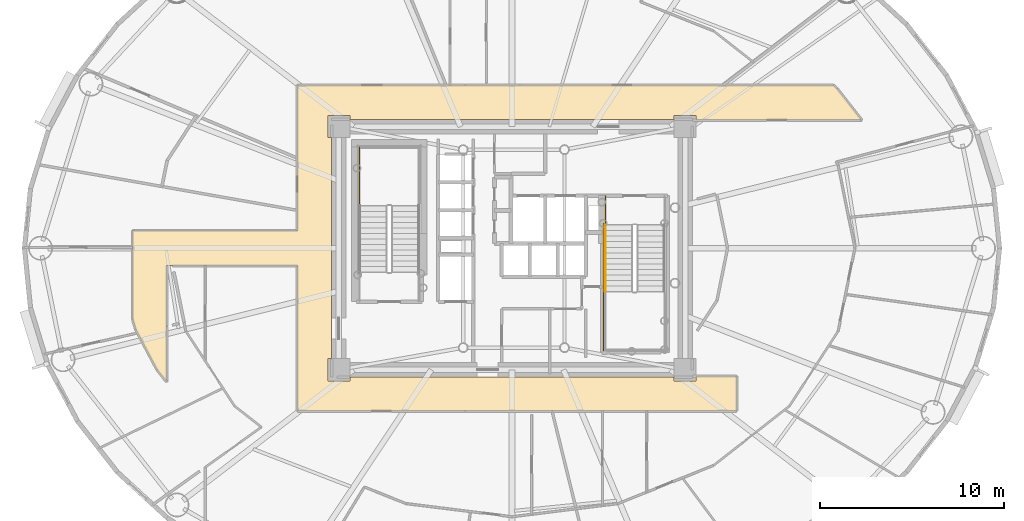
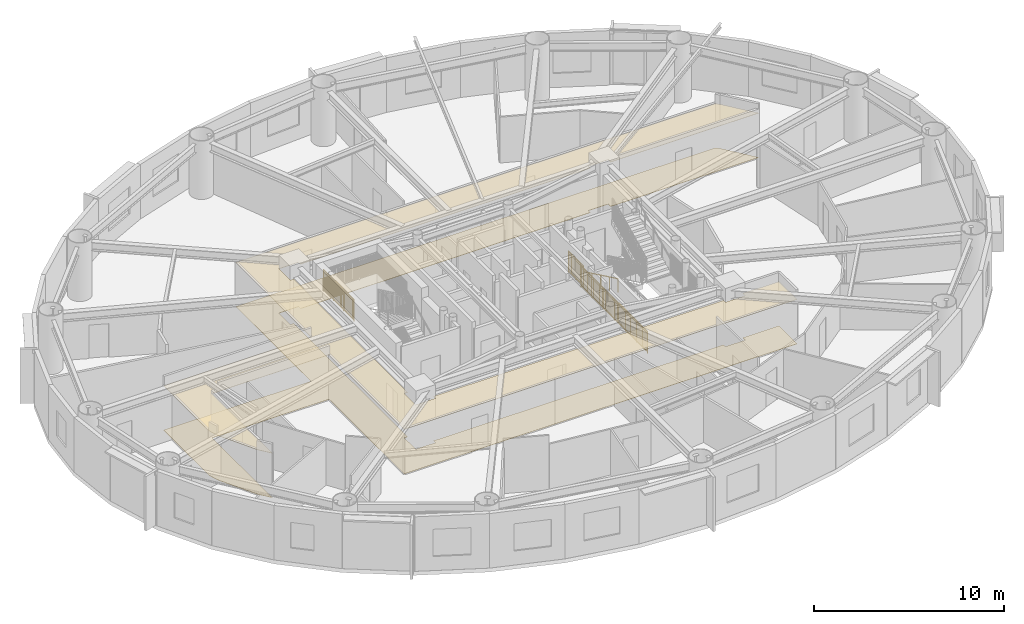
# One storey, part 14 of 18: 4 railings, 2 coverings.
"""IFC4 building model written with IfcOpenShell, lengths in metres."""

from ifc_helpers import new_model, si_unit, direction, frame, origin, origin_2d, place, context, subcontext, project, spatial, polyline, rectangle, outline, extrude, source, transform, mapped, material, layer, layer_set, type_object, element, save


model = new_model("IFC4")

# Units and contexts
model_context = context("Model", 3, precision=1e-05, world=origin(), true_north=direction((0.0, 1.0)))
body_context = subcontext(model_context, "Body", "Model", "MODEL_VIEW")
ifc_project = project(units=[si_unit("LENGTHUNIT", "METRE"), si_unit("AREAUNIT", "SQUARE_METRE"), si_unit("VOLUMEUNIT", "CUBIC_METRE"), si_unit("PLANEANGLEUNIT", "RADIAN"), si_unit("MASSUNIT", "GRAM", prefix="KILO")], contexts=[model_context])

# Site, building, storey
site_placement = place(None, origin())
site = spatial("IfcSite", under=ifc_project, at=site_placement, CompositionType="ELEMENT")
building_placement = place(site_placement, origin())
building = spatial("IfcBuilding", under=site, at=building_placement, Name="Linh Dai School and Residence Tower", CompositionType="ELEMENT")
storey_placement = place(building_placement, frame((0.0, 0.0, 186.14990234375)))
storey = spatial("IfcBuildingStorey", under=building, at=storey_placement, Name="L45", CompositionType="ELEMENT", Elevation=186.14990234375)

# Coverings
ifc_material_1 = material(Name="Mineral Fibre Acoustic Suspended Ceiling", Category="masonry")
ifc_layer_1 = layer(ifc_material_1, 0.02001953125)
ifc_layer_set_1 = layer_set([ifc_layer_1], Name="Mineral Fibre Acoustic Suspended Ceiling")
covering_type_1 = type_object("IfcCoveringType", Name="COV-CEIL-AC-20", PredefinedType="CEILING", material=ifc_layer_set_1)
covering_1_placement = place(storey_placement, frame((0.0, 0.0, 2.85009765625)))
element("IfcCovering", 1, at=covering_1_placement, inside=storey, type_object=covering_type_1, Name="L45 Residential Floor Corridor Suspended Ceiling", PredefinedType="CEILING", context=body_context, shape_type="SweptSolid", body=[
    extrude(outline(polyline([(17.25, 19.734375), (16.720458984375, 20.410888671875), (15.57421875, 22.577880859375), (15.39990234375, 23.14599609375), (15.39990234375, 27.949951171875), (24.35009765625, 27.949951171875), (24.35009765625, 35.85009765625), (53.453857421875, 35.85009765625), (53.6533203125, 35.6669921875), (54.9970703125, 33.949951171875), (46.0, 33.949951171875), (46.0, 34.199951171875), (44.800048828125, 34.199951171875), (44.800048828125, 34.0), (27.199951171875, 34.0), (27.199951171875, 34.199951171875), (26.0, 34.199951171875), (26.0, 33.0), (26.199951171875, 33.0), (26.199951171875, 21.0), (26.0, 21.0), (26.0, 19.800048828125), (27.199951171875, 19.800048828125), (27.199951171875, 20.0), (44.800048828125, 20.0), (44.800048828125, 19.800048828125), (46.0, 19.800048828125), (46.0, 20.050048828125), (48.199951171875, 20.050048828125), (48.199951171875, 18.14990234375), (24.35009765625, 18.14990234375), (24.35009765625, 26.050048828125), (17.25, 26.050048828125), (17.25, 19.734375)])), origin(), (0.0, 0.0, 1.0), 0.02001953125),
])
ifc_material_2 = material(Name="Polished Terrazzo Floor Finish", Category="masonry")
ifc_layer_2 = layer(ifc_material_2, 0.02490234375)
ifc_layer_set_2 = layer_set([ifc_layer_2], Name="Polished Terrazzo Floor Finish")
covering_type_2 = type_object("IfcCoveringType", Name="COV-FLR-TRZ-25", PredefinedType="FLOORING", material=ifc_layer_set_2)
covering_2_placement = place(storey_placement, origin())
element("IfcCovering", 2, at=covering_2_placement, inside=storey, type_object=covering_type_2, Name="L45 Residential Floor Corridor Floor Finish", PredefinedType="FLOORING", context=body_context, shape_type="SweptSolid", body=[
    extrude(outline(polyline([(17.25, 19.734375), (16.720458984375, 20.410888671875), (15.57421875, 22.577880859375), (15.39990234375, 23.14599609375), (15.39990234375, 27.949951171875), (24.35009765625, 27.949951171875), (24.35009765625, 35.85009765625), (53.453857421875, 35.85009765625), (53.6533203125, 35.6669921875), (54.9970703125, 33.949951171875), (46.0, 33.949951171875), (46.0, 34.199951171875), (44.800048828125, 34.199951171875), (44.800048828125, 34.0), (27.199951171875, 34.0), (27.199951171875, 34.199951171875), (26.0, 34.199951171875), (26.0, 33.0), (26.199951171875, 33.0), (26.199951171875, 21.0), (26.0, 21.0), (26.0, 19.800048828125), (27.199951171875, 19.800048828125), (27.199951171875, 20.0), (44.800048828125, 20.0), (44.800048828125, 19.800048828125), (46.0, 19.800048828125), (46.0, 20.050048828125), (48.199951171875, 20.050048828125), (48.199951171875, 18.14990234375), (24.35009765625, 18.14990234375), (24.35009765625, 26.050048828125), (17.25, 26.050048828125), (17.25, 19.734375)])), origin(), (0.0, 0.0, 1.0), 0.02001953125),
])

# Railings
ifc_material_3 = material(Name="Structural Steel S355JR", Category="steel")
railing_type_1 = type_object("IfcRailingType", Name="RL-ST-GUARD-1400", PredefinedType="GUARDRAIL", material=ifc_material_3)
shared_shape_1 = source(origin(), body_context, "Body", "SweptSolid", [
    extrude(rectangle(XDim=0.048095703125, YDim=0.048095703125, at=origin_2d()), frame((0.0, 0.0, 1.3759765625), z_axis=(0.0, 1.0, 0.0), x_axis=(-1.0, 0.0, 0.0)), (0.0, 0.0, 1.0), 3.199951171875),
    extrude(rectangle(XDim=0.048095703125, YDim=0.048095703125, at=origin_2d()), frame((0.0, 0.0, 0.10009765625), z_axis=(0.0, 1.0, 0.0), x_axis=(-1.0, 0.0, 0.0)), (0.0, 0.0, 1.0), 3.199951171875),
    extrude(rectangle(XDim=0.030029296875, YDim=0.030029296875, at=origin_2d()), frame((0.0, 0.0, 1.239990234375), z_axis=(0.0, 1.0, 0.0), x_axis=(-1.0, 0.0, 0.0)), (0.0, 0.0, 1.0), 3.199951171875),
    extrude(rectangle(XDim=0.02001953125, YDim=0.02001953125, at=origin_2d()), frame((0.0, 0.096923828125, 0.10009765625)), (0.0, 0.0, 1.0), 1.251708984375),
    extrude(rectangle(XDim=0.02001953125, YDim=0.02001953125, at=origin_2d()), frame((0.0, 0.19384765625, 0.10009765625)), (0.0, 0.0, 1.0), 1.251708984375),
    extrude(rectangle(XDim=0.02001953125, YDim=0.02001953125, at=origin_2d()), frame((0.0, 0.291015625, 0.10009765625)), (0.0, 0.0, 1.0), 1.251708984375),
    extrude(rectangle(XDim=0.02001953125, YDim=0.02001953125, at=origin_2d()), frame((0.0, 0.387939453125, 0.10009765625)), (0.0, 0.0, 1.0), 1.251708984375),
    extrude(rectangle(XDim=0.02001953125, YDim=0.02001953125, at=origin_2d()), frame((0.0, 0.48486328125, 0.10009765625)), (0.0, 0.0, 1.0), 1.251708984375),
    extrude(rectangle(XDim=0.02001953125, YDim=0.02001953125, at=origin_2d()), frame((0.0, 0.581787109375, 0.10009765625)), (0.0, 0.0, 1.0), 1.251708984375),
    extrude(rectangle(XDim=0.02001953125, YDim=0.02001953125, at=origin_2d()), frame((0.0, 0.6787109375, 0.10009765625)), (0.0, 0.0, 1.0), 1.251708984375),
    extrude(rectangle(XDim=0.02001953125, YDim=0.02001953125, at=origin_2d()), frame((0.0, 0.775634765625, 0.10009765625)), (0.0, 0.0, 1.0), 1.251708984375),
    extrude(rectangle(XDim=0.02001953125, YDim=0.02001953125, at=origin_2d()), frame((0.0, 0.872802734375, 0.10009765625)), (0.0, 0.0, 1.0), 1.251708984375),
    extrude(rectangle(XDim=0.02001953125, YDim=0.02001953125, at=origin_2d()), frame((0.0, 0.9697265625, 0.10009765625)), (0.0, 0.0, 1.0), 1.251708984375),
    extrude(rectangle(XDim=0.02001953125, YDim=0.02001953125, at=origin_2d()), frame((0.0, 1.16357421875, 0.10009765625)), (0.0, 0.0, 1.0), 1.251708984375),
    extrude(rectangle(XDim=0.02001953125, YDim=0.02001953125, at=origin_2d()), frame((0.0, 1.260498046875, 0.10009765625)), (0.0, 0.0, 1.0), 1.251708984375),
    extrude(rectangle(XDim=0.02001953125, YDim=0.02001953125, at=origin_2d()), frame((0.0, 1.357666015625, 0.10009765625)), (0.0, 0.0, 1.0), 1.251708984375),
    extrude(rectangle(XDim=0.02001953125, YDim=0.02001953125, at=origin_2d()), frame((0.0, 1.45458984375, 0.10009765625)), (0.0, 0.0, 1.0), 1.251708984375),
    extrude(rectangle(XDim=0.02001953125, YDim=0.02001953125, at=origin_2d()), frame((0.0, 1.551513671875, 0.10009765625)), (0.0, 0.0, 1.0), 1.251708984375),
    extrude(rectangle(XDim=0.02001953125, YDim=0.02001953125, at=origin_2d()), frame((0.0, 1.6484375, 0.10009765625)), (0.0, 0.0, 1.0), 1.251708984375),
    extrude(rectangle(XDim=0.02001953125, YDim=0.02001953125, at=origin_2d()), frame((0.0, 1.745361328125, 0.10009765625)), (0.0, 0.0, 1.0), 1.251708984375),
    extrude(rectangle(XDim=0.02001953125, YDim=0.02001953125, at=origin_2d()), frame((0.0, 1.84228515625, 0.10009765625)), (0.0, 0.0, 1.0), 1.251708984375),
    extrude(rectangle(XDim=0.02001953125, YDim=0.02001953125, at=origin_2d()), frame((0.0, 1.939453125, 0.10009765625)), (0.0, 0.0, 1.0), 1.251708984375),
    extrude(rectangle(XDim=0.02001953125, YDim=0.02001953125, at=origin_2d()), frame((0.0, 2.036376953125, 0.10009765625)), (0.0, 0.0, 1.0), 1.251708984375),
    extrude(rectangle(XDim=0.02001953125, YDim=0.02001953125, at=origin_2d()), frame((0.0, 2.230224609375, 0.10009765625)), (0.0, 0.0, 1.0), 1.251708984375),
    extrude(rectangle(XDim=0.02001953125, YDim=0.02001953125, at=origin_2d()), frame((0.0, 2.3271484375, 0.10009765625)), (0.0, 0.0, 1.0), 1.251708984375),
    extrude(rectangle(XDim=0.02001953125, YDim=0.02001953125, at=origin_2d()), frame((0.0, 2.42431640625, 0.10009765625)), (0.0, 0.0, 1.0), 1.251708984375),
    extrude(rectangle(XDim=0.02001953125, YDim=0.02001953125, at=origin_2d()), frame((0.0, 2.521240234375, 0.10009765625)), (0.0, 0.0, 1.0), 1.251708984375),
    extrude(rectangle(XDim=0.02001953125, YDim=0.02001953125, at=origin_2d()), frame((0.0, 2.6181640625, 0.10009765625)), (0.0, 0.0, 1.0), 1.251708984375),
    extrude(rectangle(XDim=0.02001953125, YDim=0.02001953125, at=origin_2d()), frame((0.0, 2.715087890625, 0.10009765625)), (0.0, 0.0, 1.0), 1.251708984375),
    extrude(rectangle(XDim=0.02001953125, YDim=0.02001953125, at=origin_2d()), frame((0.0, 2.81201171875, 0.10009765625)), (0.0, 0.0, 1.0), 1.251708984375),
    extrude(rectangle(XDim=0.02001953125, YDim=0.02001953125, at=origin_2d()), frame((0.0, 2.908935546875, 0.10009765625)), (0.0, 0.0, 1.0), 1.251708984375),
    extrude(rectangle(XDim=0.02001953125, YDim=0.02001953125, at=origin_2d()), frame((0.0, 3.006103515625, 0.10009765625)), (0.0, 0.0, 1.0), 1.251708984375),
    extrude(rectangle(XDim=0.02001953125, YDim=0.02001953125, at=origin_2d()), frame((0.0, 3.10302734375, 0.10009765625)), (0.0, 0.0, 1.0), 1.251708984375),
    extrude(rectangle(XDim=0.0419921875, YDim=0.0419921875, at=origin_2d()), origin(), (0.0, 0.0, 1.0), 1.3759765625),
    extrude(rectangle(XDim=0.0419921875, YDim=0.0419921875, at=origin_2d()), frame((0.0, 1.066650390625, 0.0)), (0.0, 0.0, 1.0), 1.3759765625),
    extrude(rectangle(XDim=0.0419921875, YDim=0.0419921875, at=origin_2d()), frame((0.0, 2.13330078125, 0.0)), (0.0, 0.0, 1.0), 1.3759765625),
    extrude(rectangle(XDim=0.0419921875, YDim=0.0419921875, at=origin_2d()), frame((0.0, 3.199951171875, 0.0)), (0.0, 0.0, 1.0), 1.3759765625),
])
railing_1_placement = place(storey_placement, frame((27.72998046875, 29.300048828125, 1.875)))
element("IfcRailing", 3, at=railing_1_placement, inside=storey, type_object=railing_type_1, Name="L45 ST1 stair guard 4", PredefinedType="GUARDRAIL", context=body_context, shape_type="MappedRepresentation", body=[
    mapped(shared_shape_1, transform((0.0, 0.0, 0.0), x_axis=(1.0, 0.0, 0.0), y_axis=(0.0, 1.0, 0.0), z_axis=(0.0, 0.0, 1.0), scale=1.0)),
])
ifc_material_4 = material(Name="Brushed Stainless Steel Handrail", Category="steel")
railing_type_2 = type_object("IfcRailingType", Name="RL-ST-HANDRAIL-900", PredefinedType="HANDRAIL", material=ifc_material_4)
shared_shape_2 = source(origin(), body_context, "Body", "SweptSolid", [
    extrude(rectangle(XDim=0.048095703125, YDim=0.048095703125, at=origin_2d()), frame((0.0, 0.0, 0.8759765625), z_axis=(0.0, -0.901262522062, 0.433273431364), x_axis=(1.0, 0.0, 0.0)), (0.0, 0.0, 1.0), 3.994384765625),
    extrude(rectangle(XDim=0.0419921875, YDim=0.0419921875, at=origin_2d()), origin(), (0.0, 0.0, 1.0), 0.8759765625),
    extrude(rectangle(XDim=0.0419921875, YDim=0.0419921875, at=origin_2d()), frame((0.0, -0.89990234375, 0.4326171875)), (0.0, 0.0, 1.0), 0.8759765625),
    extrude(rectangle(XDim=0.0419921875, YDim=0.0419921875, at=origin_2d()), frame((0.0, -1.800048828125, 0.865234375)), (0.0, 0.0, 1.0), 0.8759765625),
    extrude(rectangle(XDim=0.0419921875, YDim=0.0419921875, at=origin_2d()), frame((0.0, -2.7001953125, 1.298095703125)), (0.0, 0.0, 1.0), 0.8759765625),
    extrude(rectangle(XDim=0.0419921875, YDim=0.0419921875, at=origin_2d()), frame((0.0, -3.60009765625, 1.730712890625)), (0.0, 0.0, 1.0), 0.8759765625),
])
railing_2_placement = place(storey_placement, frame((41.070068359375, 28.25, 0.144287109375)))
element("IfcRailing", 4, at=railing_2_placement, inside=storey, type_object=railing_type_2, Name="L45 ST2 stair handrail 1", PredefinedType="HANDRAIL", context=body_context, shape_type="MappedRepresentation", body=[
    mapped(shared_shape_2, transform((0.0, 0.0, 0.0), x_axis=(1.0, 0.0, 0.0), y_axis=(0.0, 1.0, 0.0), z_axis=(0.0, 0.0, 1.0), scale=1.0)),
])
shared_shape_3 = source(origin(), body_context, "Body", "SweptSolid", [
    extrude(rectangle(XDim=0.048095703125, YDim=0.048095703125, at=origin_2d()), frame((0.0, 0.0, 1.3759765625), z_axis=(0.0, -1.0, 0.0), x_axis=(1.0, 0.0, 0.0)), (0.0, 0.0, 1.0), 1.60009765625),
    extrude(rectangle(XDim=0.048095703125, YDim=0.048095703125, at=origin_2d()), frame((0.0, 0.0, 0.10009765625), z_axis=(0.0, -1.0, 0.0), x_axis=(1.0, 0.0, 0.0)), (0.0, 0.0, 1.0), 1.60009765625),
    extrude(rectangle(XDim=0.030029296875, YDim=0.030029296875, at=origin_2d()), frame((0.0, 0.0, 1.239990234375), z_axis=(0.0, -1.0, 0.0), x_axis=(1.0, 0.0, 0.0)), (0.0, 0.0, 1.0), 1.60009765625),
    extrude(rectangle(XDim=0.02001953125, YDim=0.02001953125, at=origin_2d()), frame((0.0, -0.09423828125, 0.10009765625)), (0.0, 0.0, 1.0), 1.251708984375),
    extrude(rectangle(XDim=0.02001953125, YDim=0.02001953125, at=origin_2d()), frame((0.0, -0.188232421875, 0.10009765625)), (0.0, 0.0, 1.0), 1.251708984375),
    extrude(rectangle(XDim=0.02001953125, YDim=0.02001953125, at=origin_2d()), frame((0.0, -0.282470703125, 0.10009765625)), (0.0, 0.0, 1.0), 1.251708984375),
    extrude(rectangle(XDim=0.02001953125, YDim=0.02001953125, at=origin_2d()), frame((0.0, -0.37646484375, 0.10009765625)), (0.0, 0.0, 1.0), 1.251708984375),
    extrude(rectangle(XDim=0.02001953125, YDim=0.02001953125, at=origin_2d()), frame((0.0, -0.470703125, 0.10009765625)), (0.0, 0.0, 1.0), 1.251708984375),
    extrude(rectangle(XDim=0.02001953125, YDim=0.02001953125, at=origin_2d()), frame((0.0, -0.564697265625, 0.10009765625)), (0.0, 0.0, 1.0), 1.251708984375),
    extrude(rectangle(XDim=0.02001953125, YDim=0.02001953125, at=origin_2d()), frame((0.0, -0.658935546875, 0.10009765625)), (0.0, 0.0, 1.0), 1.251708984375),
    extrude(rectangle(XDim=0.02001953125, YDim=0.02001953125, at=origin_2d()), frame((0.0, -0.7529296875, 0.10009765625)), (0.0, 0.0, 1.0), 1.251708984375),
    extrude(rectangle(XDim=0.02001953125, YDim=0.02001953125, at=origin_2d()), frame((0.0, -0.84716796875, 0.10009765625)), (0.0, 0.0, 1.0), 1.251708984375),
    extrude(rectangle(XDim=0.02001953125, YDim=0.02001953125, at=origin_2d()), frame((0.0, -0.941162109375, 0.10009765625)), (0.0, 0.0, 1.0), 1.251708984375),
    extrude(rectangle(XDim=0.02001953125, YDim=0.02001953125, at=origin_2d()), frame((0.0, -1.035400390625, 0.10009765625)), (0.0, 0.0, 1.0), 1.251708984375),
    extrude(rectangle(XDim=0.02001953125, YDim=0.02001953125, at=origin_2d()), frame((0.0, -1.12939453125, 0.10009765625)), (0.0, 0.0, 1.0), 1.251708984375),
    extrude(rectangle(XDim=0.02001953125, YDim=0.02001953125, at=origin_2d()), frame((0.0, -1.2236328125, 0.10009765625)), (0.0, 0.0, 1.0), 1.251708984375),
    extrude(rectangle(XDim=0.02001953125, YDim=0.02001953125, at=origin_2d()), frame((0.0, -1.317626953125, 0.10009765625)), (0.0, 0.0, 1.0), 1.251708984375),
    extrude(rectangle(XDim=0.02001953125, YDim=0.02001953125, at=origin_2d()), frame((0.0, -1.411865234375, 0.10009765625)), (0.0, 0.0, 1.0), 1.251708984375),
    extrude(rectangle(XDim=0.02001953125, YDim=0.02001953125, at=origin_2d()), frame((0.0, -1.505859375, 0.10009765625)), (0.0, 0.0, 1.0), 1.251708984375),
    extrude(rectangle(XDim=0.0419921875, YDim=0.0419921875, at=origin_2d()), origin(), (0.0, 0.0, 1.0), 1.3759765625),
    extrude(rectangle(XDim=0.0419921875, YDim=0.0419921875, at=origin_2d()), frame((0.0, -0.800048828125, 0.0)), (0.0, 0.0, 1.0), 1.3759765625),
    extrude(rectangle(XDim=0.0419921875, YDim=0.0419921875, at=origin_2d()), frame((0.0, -1.60009765625, 0.0)), (0.0, 0.0, 1.0), 1.3759765625),
])
railing_3_placement = place(storey_placement, frame((41.070068359375, 29.85009765625, 0.0)))
element("IfcRailing", 5, at=railing_3_placement, inside=storey, type_object=railing_type_1, Name="L45 ST2 stair guard 8", PredefinedType="GUARDRAIL", context=body_context, shape_type="MappedRepresentation", body=[
    mapped(shared_shape_3, transform((0.0, 0.0, 0.0), x_axis=(1.0, 0.0, 0.0), y_axis=(0.0, 1.0, 0.0), z_axis=(0.0, 0.0, 1.0), scale=1.0)),
])
shared_shape_4 = source(origin(), body_context, "Body", "SweptSolid", [
    extrude(rectangle(XDim=0.048095703125, YDim=0.048095703125, at=origin_2d()), frame((0.0, 0.0, 1.3759765625), z_axis=(0.0, -1.0, 0.0), x_axis=(1.0, 0.0, 0.0)), (0.0, 0.0, 1.0), 7.0),
    extrude(rectangle(XDim=0.048095703125, YDim=0.048095703125, at=origin_2d()), frame((0.0, 0.0, 0.10009765625), z_axis=(0.0, -1.0, 0.0), x_axis=(1.0, 0.0, 0.0)), (0.0, 0.0, 1.0), 7.0),
    extrude(rectangle(XDim=0.030029296875, YDim=0.030029296875, at=origin_2d()), frame((0.0, 0.0, 1.239990234375), z_axis=(0.0, -1.0, 0.0), x_axis=(1.0, 0.0, 0.0)), (0.0, 0.0, 1.0), 7.0),
    extrude(rectangle(XDim=0.02001953125, YDim=0.02001953125, at=origin_2d()), frame((0.0, -0.09716796875, 0.10009765625)), (0.0, 0.0, 1.0), 1.251708984375),
    extrude(rectangle(XDim=0.02001953125, YDim=0.02001953125, at=origin_2d()), frame((0.0, -0.1943359375, 0.10009765625)), (0.0, 0.0, 1.0), 1.251708984375),
    extrude(rectangle(XDim=0.02001953125, YDim=0.02001953125, at=origin_2d()), frame((0.0, -0.291748046875, 0.10009765625)), (0.0, 0.0, 1.0), 1.251708984375),
    extrude(rectangle(XDim=0.02001953125, YDim=0.02001953125, at=origin_2d()), frame((0.0, -0.388916015625, 0.10009765625)), (0.0, 0.0, 1.0), 1.251708984375),
    extrude(rectangle(XDim=0.02001953125, YDim=0.02001953125, at=origin_2d()), frame((0.0, -0.486083984375, 0.10009765625)), (0.0, 0.0, 1.0), 1.251708984375),
    extrude(rectangle(XDim=0.02001953125, YDim=0.02001953125, at=origin_2d()), frame((0.0, -0.583251953125, 0.10009765625)), (0.0, 0.0, 1.0), 1.251708984375),
    extrude(rectangle(XDim=0.02001953125, YDim=0.02001953125, at=origin_2d()), frame((0.0, -0.6806640625, 0.10009765625)), (0.0, 0.0, 1.0), 1.251708984375),
    extrude(rectangle(XDim=0.02001953125, YDim=0.02001953125, at=origin_2d()), frame((0.0, -0.77783203125, 0.10009765625)), (0.0, 0.0, 1.0), 1.251708984375),
    extrude(rectangle(XDim=0.02001953125, YDim=0.02001953125, at=origin_2d()), frame((0.0, -0.875, 0.10009765625)), (0.0, 0.0, 1.0), 1.251708984375),
    extrude(rectangle(XDim=0.02001953125, YDim=0.02001953125, at=origin_2d()), frame((0.0, -0.97216796875, 0.10009765625)), (0.0, 0.0, 1.0), 1.251708984375),
    extrude(rectangle(XDim=0.02001953125, YDim=0.02001953125, at=origin_2d()), frame((0.0, -1.0693359375, 0.10009765625)), (0.0, 0.0, 1.0), 1.251708984375),
    extrude(rectangle(XDim=0.02001953125, YDim=0.02001953125, at=origin_2d()), frame((0.0, -1.263916015625, 0.10009765625)), (0.0, 0.0, 1.0), 1.251708984375),
    extrude(rectangle(XDim=0.02001953125, YDim=0.02001953125, at=origin_2d()), frame((0.0, -1.361083984375, 0.10009765625)), (0.0, 0.0, 1.0), 1.251708984375),
    extrude(rectangle(XDim=0.02001953125, YDim=0.02001953125, at=origin_2d()), frame((0.0, -1.458251953125, 0.10009765625)), (0.0, 0.0, 1.0), 1.251708984375),
    extrude(rectangle(XDim=0.02001953125, YDim=0.02001953125, at=origin_2d()), frame((0.0, -1.5556640625, 0.10009765625)), (0.0, 0.0, 1.0), 1.251708984375),
    extrude(rectangle(XDim=0.02001953125, YDim=0.02001953125, at=origin_2d()), frame((0.0, -1.65283203125, 0.10009765625)), (0.0, 0.0, 1.0), 1.251708984375),
    extrude(rectangle(XDim=0.02001953125, YDim=0.02001953125, at=origin_2d()), frame((0.0, -1.75, 0.10009765625)), (0.0, 0.0, 1.0), 1.251708984375),
    extrude(rectangle(XDim=0.02001953125, YDim=0.02001953125, at=origin_2d()), frame((0.0, -1.84716796875, 0.10009765625)), (0.0, 0.0, 1.0), 1.251708984375),
    extrude(rectangle(XDim=0.02001953125, YDim=0.02001953125, at=origin_2d()), frame((0.0, -1.9443359375, 0.10009765625)), (0.0, 0.0, 1.0), 1.251708984375),
    extrude(rectangle(XDim=0.02001953125, YDim=0.02001953125, at=origin_2d()), frame((0.0, -2.041748046875, 0.10009765625)), (0.0, 0.0, 1.0), 1.251708984375),
    extrude(rectangle(XDim=0.02001953125, YDim=0.02001953125, at=origin_2d()), frame((0.0, -2.138916015625, 0.10009765625)), (0.0, 0.0, 1.0), 1.251708984375),
    extrude(rectangle(XDim=0.02001953125, YDim=0.02001953125, at=origin_2d()), frame((0.0, -2.236083984375, 0.10009765625)), (0.0, 0.0, 1.0), 1.251708984375),
    extrude(rectangle(XDim=0.02001953125, YDim=0.02001953125, at=origin_2d()), frame((0.0, -2.4306640625, 0.10009765625)), (0.0, 0.0, 1.0), 1.251708984375),
    extrude(rectangle(XDim=0.02001953125, YDim=0.02001953125, at=origin_2d()), frame((0.0, -2.52783203125, 0.10009765625)), (0.0, 0.0, 1.0), 1.251708984375),
    extrude(rectangle(XDim=0.02001953125, YDim=0.02001953125, at=origin_2d()), frame((0.0, -2.625, 0.10009765625)), (0.0, 0.0, 1.0), 1.251708984375),
    extrude(rectangle(XDim=0.02001953125, YDim=0.02001953125, at=origin_2d()), frame((0.0, -2.72216796875, 0.10009765625)), (0.0, 0.0, 1.0), 1.251708984375),
    extrude(rectangle(XDim=0.02001953125, YDim=0.02001953125, at=origin_2d()), frame((0.0, -2.8193359375, 0.10009765625)), (0.0, 0.0, 1.0), 1.251708984375),
    extrude(rectangle(XDim=0.02001953125, YDim=0.02001953125, at=origin_2d()), frame((0.0, -2.916748046875, 0.10009765625)), (0.0, 0.0, 1.0), 1.251708984375),
    extrude(rectangle(XDim=0.02001953125, YDim=0.02001953125, at=origin_2d()), frame((0.0, -3.013916015625, 0.10009765625)), (0.0, 0.0, 1.0), 1.251708984375),
    extrude(rectangle(XDim=0.02001953125, YDim=0.02001953125, at=origin_2d()), frame((0.0, -3.111083984375, 0.10009765625)), (0.0, 0.0, 1.0), 1.251708984375),
    extrude(rectangle(XDim=0.02001953125, YDim=0.02001953125, at=origin_2d()), frame((0.0, -3.208251953125, 0.10009765625)), (0.0, 0.0, 1.0), 1.251708984375),
    extrude(rectangle(XDim=0.02001953125, YDim=0.02001953125, at=origin_2d()), frame((0.0, -3.3056640625, 0.10009765625)), (0.0, 0.0, 1.0), 1.251708984375),
    extrude(rectangle(XDim=0.02001953125, YDim=0.02001953125, at=origin_2d()), frame((0.0, -3.40283203125, 0.10009765625)), (0.0, 0.0, 1.0), 1.251708984375),
    extrude(rectangle(XDim=0.02001953125, YDim=0.02001953125, at=origin_2d()), frame((0.0, -3.59716796875, 0.10009765625)), (0.0, 0.0, 1.0), 1.251708984375),
    extrude(rectangle(XDim=0.02001953125, YDim=0.02001953125, at=origin_2d()), frame((0.0, -3.6943359375, 0.10009765625)), (0.0, 0.0, 1.0), 1.251708984375),
    extrude(rectangle(XDim=0.02001953125, YDim=0.02001953125, at=origin_2d()), frame((0.0, -3.791748046875, 0.10009765625)), (0.0, 0.0, 1.0), 1.251708984375),
    extrude(rectangle(XDim=0.02001953125, YDim=0.02001953125, at=origin_2d()), frame((0.0, -3.888916015625, 0.10009765625)), (0.0, 0.0, 1.0), 1.251708984375),
    extrude(rectangle(XDim=0.02001953125, YDim=0.02001953125, at=origin_2d()), frame((0.0, -3.986083984375, 0.10009765625)), (0.0, 0.0, 1.0), 1.251708984375),
    extrude(rectangle(XDim=0.02001953125, YDim=0.02001953125, at=origin_2d()), frame((0.0, -4.083251953125, 0.10009765625)), (0.0, 0.0, 1.0), 1.251708984375),
    extrude(rectangle(XDim=0.02001953125, YDim=0.02001953125, at=origin_2d()), frame((0.0, -4.1806640625, 0.10009765625)), (0.0, 0.0, 1.0), 1.251708984375),
    extrude(rectangle(XDim=0.02001953125, YDim=0.02001953125, at=origin_2d()), frame((0.0, -4.27783203125, 0.10009765625)), (0.0, 0.0, 1.0), 1.251708984375),
    extrude(rectangle(XDim=0.02001953125, YDim=0.02001953125, at=origin_2d()), frame((0.0, -4.375, 0.10009765625)), (0.0, 0.0, 1.0), 1.251708984375),
    extrude(rectangle(XDim=0.02001953125, YDim=0.02001953125, at=origin_2d()), frame((0.0, -4.47216796875, 0.10009765625)), (0.0, 0.0, 1.0), 1.251708984375),
    extrude(rectangle(XDim=0.02001953125, YDim=0.02001953125, at=origin_2d()), frame((0.0, -4.5693359375, 0.10009765625)), (0.0, 0.0, 1.0), 1.251708984375),
    extrude(rectangle(XDim=0.02001953125, YDim=0.02001953125, at=origin_2d()), frame((0.0, -4.763916015625, 0.10009765625)), (0.0, 0.0, 1.0), 1.251708984375),
    extrude(rectangle(XDim=0.02001953125, YDim=0.02001953125, at=origin_2d()), frame((0.0, -4.861083984375, 0.10009765625)), (0.0, 0.0, 1.0), 1.251708984375),
    extrude(rectangle(XDim=0.02001953125, YDim=0.02001953125, at=origin_2d()), frame((0.0, -4.958251953125, 0.10009765625)), (0.0, 0.0, 1.0), 1.251708984375),
    extrude(rectangle(XDim=0.02001953125, YDim=0.02001953125, at=origin_2d()), frame((0.0, -5.0556640625, 0.10009765625)), (0.0, 0.0, 1.0), 1.251708984375),
    extrude(rectangle(XDim=0.02001953125, YDim=0.02001953125, at=origin_2d()), frame((0.0, -5.15283203125, 0.10009765625)), (0.0, 0.0, 1.0), 1.251708984375),
    extrude(rectangle(XDim=0.02001953125, YDim=0.02001953125, at=origin_2d()), frame((0.0, -5.25, 0.10009765625)), (0.0, 0.0, 1.0), 1.251708984375),
    extrude(rectangle(XDim=0.02001953125, YDim=0.02001953125, at=origin_2d()), frame((0.0, -5.34716796875, 0.10009765625)), (0.0, 0.0, 1.0), 1.251708984375),
    extrude(rectangle(XDim=0.02001953125, YDim=0.02001953125, at=origin_2d()), frame((0.0, -5.4443359375, 0.10009765625)), (0.0, 0.0, 1.0), 1.251708984375),
    extrude(rectangle(XDim=0.02001953125, YDim=0.02001953125, at=origin_2d()), frame((0.0, -5.541748046875, 0.10009765625)), (0.0, 0.0, 1.0), 1.251708984375),
    extrude(rectangle(XDim=0.02001953125, YDim=0.02001953125, at=origin_2d()), frame((0.0, -5.638916015625, 0.10009765625)), (0.0, 0.0, 1.0), 1.251708984375),
    extrude(rectangle(XDim=0.02001953125, YDim=0.02001953125, at=origin_2d()), frame((0.0, -5.736083984375, 0.10009765625)), (0.0, 0.0, 1.0), 1.251708984375),
    extrude(rectangle(XDim=0.02001953125, YDim=0.02001953125, at=origin_2d()), frame((0.0, -5.9306640625, 0.10009765625)), (0.0, 0.0, 1.0), 1.251708984375),
    extrude(rectangle(XDim=0.02001953125, YDim=0.02001953125, at=origin_2d()), frame((0.0, -6.02783203125, 0.10009765625)), (0.0, 0.0, 1.0), 1.251708984375),
    extrude(rectangle(XDim=0.02001953125, YDim=0.02001953125, at=origin_2d()), frame((0.0, -6.125, 0.10009765625)), (0.0, 0.0, 1.0), 1.251708984375),
    extrude(rectangle(XDim=0.02001953125, YDim=0.02001953125, at=origin_2d()), frame((0.0, -6.22216796875, 0.10009765625)), (0.0, 0.0, 1.0), 1.251708984375),
    extrude(rectangle(XDim=0.02001953125, YDim=0.02001953125, at=origin_2d()), frame((0.0, -6.3193359375, 0.10009765625)), (0.0, 0.0, 1.0), 1.251708984375),
    extrude(rectangle(XDim=0.02001953125, YDim=0.02001953125, at=origin_2d()), frame((0.0, -6.416748046875, 0.10009765625)), (0.0, 0.0, 1.0), 1.251708984375),
    extrude(rectangle(XDim=0.02001953125, YDim=0.02001953125, at=origin_2d()), frame((0.0, -6.513916015625, 0.10009765625)), (0.0, 0.0, 1.0), 1.251708984375),
    extrude(rectangle(XDim=0.02001953125, YDim=0.02001953125, at=origin_2d()), frame((0.0, -6.611083984375, 0.10009765625)), (0.0, 0.0, 1.0), 1.251708984375),
    extrude(rectangle(XDim=0.02001953125, YDim=0.02001953125, at=origin_2d()), frame((0.0, -6.708251953125, 0.10009765625)), (0.0, 0.0, 1.0), 1.251708984375),
    extrude(rectangle(XDim=0.02001953125, YDim=0.02001953125, at=origin_2d()), frame((0.0, -6.8056640625, 0.10009765625)), (0.0, 0.0, 1.0), 1.251708984375),
    extrude(rectangle(XDim=0.02001953125, YDim=0.02001953125, at=origin_2d()), frame((0.0, -6.90283203125, 0.10009765625)), (0.0, 0.0, 1.0), 1.251708984375),
    extrude(rectangle(XDim=0.0419921875, YDim=0.0419921875, at=origin_2d()), origin(), (0.0, 0.0, 1.0), 1.3759765625),
    extrude(rectangle(XDim=0.0419921875, YDim=0.0419921875, at=origin_2d()), frame((0.0, -1.166748046875, 0.0)), (0.0, 0.0, 1.0), 1.3759765625),
    extrude(rectangle(XDim=0.0419921875, YDim=0.0419921875, at=origin_2d()), frame((0.0, -2.333251953125, 0.0)), (0.0, 0.0, 1.0), 1.3759765625),
    extrude(rectangle(XDim=0.0419921875, YDim=0.0419921875, at=origin_2d()), frame((0.0, -3.5, 0.0)), (0.0, 0.0, 1.0), 1.3759765625),
    extrude(rectangle(XDim=0.0419921875, YDim=0.0419921875, at=origin_2d()), frame((0.0, -4.666748046875, 0.0)), (0.0, 0.0, 1.0), 1.3759765625),
    extrude(rectangle(XDim=0.0419921875, YDim=0.0419921875, at=origin_2d()), frame((0.0, -5.833251953125, 0.0)), (0.0, 0.0, 1.0), 1.3759765625),
    extrude(rectangle(XDim=0.0419921875, YDim=0.0419921875, at=origin_2d()), frame((0.0, -7.0, 0.0)), (0.0, 0.0, 1.0), 1.3759765625),
])
railing_4_placement = place(storey_placement, frame((40.969970703125, 28.35009765625, 0.0)))
element("IfcRailing", 6, at=railing_4_placement, inside=storey, type_object=railing_type_1, Name="L45 ST2 stair guard 10", PredefinedType="GUARDRAIL", context=body_context, shape_type="MappedRepresentation", body=[
    mapped(shared_shape_4, transform((0.0, 0.0, 0.0), x_axis=(1.0, 0.0, 0.0), y_axis=(0.0, 1.0, 0.0), z_axis=(0.0, 0.0, 1.0), scale=1.0)),
])

save(model, "model.ifc")
